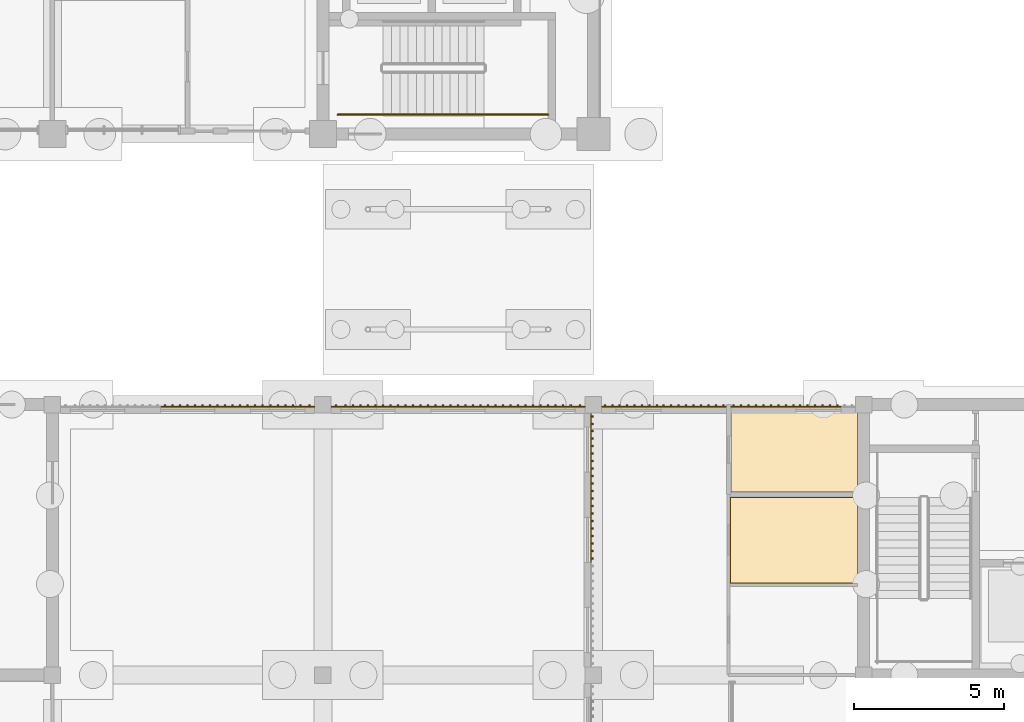
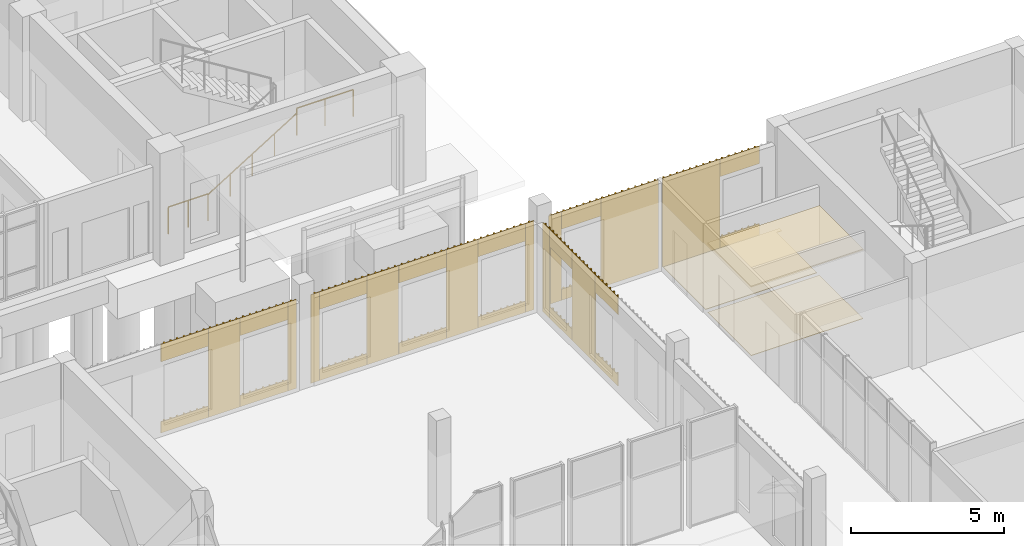
# One storey, part 101 of 106: 32 coverings, 3 railings.
"""IFC4 building model written with IfcOpenShell, lengths in metres."""

from ifc_helpers import new_model, si_unit, direction, frame, origin, origin_2d, place, context, subcontext, project, spatial, polyline, circle, outline, extrude, source, transform, mapped, material, layer, layer_set, type_object, element, save


model = new_model("IFC4")

# Units and contexts
model_context = context("Model", 3, precision=1e-05, world=origin(), true_north=direction((0.0, 1.0)))
body_context = subcontext(model_context, "Body", "Model", "MODEL_VIEW")
ifc_project = project(units=[si_unit("LENGTHUNIT", "METRE"), si_unit("AREAUNIT", "SQUARE_METRE"), si_unit("VOLUMEUNIT", "CUBIC_METRE"), si_unit("PLANEANGLEUNIT", "RADIAN"), si_unit("MASSUNIT", "GRAM", prefix="KILO")], contexts=[model_context])

# Site, building, storey
site_placement = place(None, origin())
site = spatial("IfcSite", under=ifc_project, at=site_placement, CompositionType="ELEMENT")
building_placement = place(site_placement, origin())
building = spatial("IfcBuilding", under=site, at=building_placement, Name="Merrow Basin Faculty of Sciences", CompositionType="ELEMENT")
storey_placement = place(building_placement, origin())
storey = spatial("IfcBuildingStorey", under=building, at=storey_placement, Name="L00", CompositionType="ELEMENT", Elevation=0.0)

# Coverings
ifc_material_1 = material(Name="Ceramic floor tile")
ifc_layer_1 = layer(ifc_material_1, 0.02001953125)
ifc_layer_set_1 = layer_set([ifc_layer_1], Name="Ceramic floor tile")
covering_type_1 = type_object("IfcCoveringType", Name="Ceramic floor tile", PredefinedType="FLOORING", material=ifc_layer_set_1)
covering_1_placement = place(storey_placement, origin())
element("IfcCovering", 1, at=covering_1_placement, inside=storey, type_object=covering_type_1, Name="Floor finish L00-C-030", PredefinedType="FLOORING", context=body_context, shape_type="SweptSolid", body=[
    extrude(outline(polyline([(58.56005859375, 129.9150390625), (62.7900390625, 129.9150390625), (62.7900390625, 127.06005859375), (58.56005859375, 127.06005859375), (58.56005859375, 129.9150390625)])), origin(), (0.0, 0.0, 1.0), 0.02001953125),
])
ifc_material_2 = material(Name="Sealed concrete floor", Category="concrete")
ifc_layer_2 = layer(ifc_material_2, 0.02001953125)
ifc_layer_set_2 = layer_set([ifc_layer_2], Name="Sealed concrete floor")
covering_type_2 = type_object("IfcCoveringType", Name="Sealed concrete floor", PredefinedType="FLOORING", material=ifc_layer_set_2)
covering_2_placement = place(storey_placement, origin())
element("IfcCovering", 2, at=covering_2_placement, inside=storey, type_object=covering_type_2, Name="Floor finish L00-C-031", PredefinedType="FLOORING", context=body_context, shape_type="SweptSolid", body=[
    extrude(outline(polyline([(62.989990234375, 132.889892578125), (62.989990234375, 132.735107421875), (62.7900390625, 132.735107421875), (62.7900390625, 130.0849609375), (58.5849609375, 130.0849609375), (58.5849609375, 132.889892578125), (62.989990234375, 132.889892578125)])), origin(), (0.0, 0.0, 1.0), 0.02001953125),
])

# Railings
ifc_material_3 = material(Name="Steel ASTM A36", Category="steel")
railing_type_1 = type_object("IfcRailingType", Name="Steel guard 1100", PredefinedType="GUARDRAIL", material=ifc_material_3)
railing_1_placement = place(storey_placement, frame((50.360107421875, 142.64990234375, 2.25)))
element("IfcRailing", 3, at=railing_1_placement, inside=storey, type_object=railing_type_1, Name="L00 ST-V5-N stair guard 3", PredefinedType="GUARDRAIL", context=body_context, shape_type="SweptSolid", body=[
    extrude(circle(Radius=0.02392578125, at=origin_2d()), frame((0.0, 0.0, 1.076171875), z_axis=(1.0, 0.0, 0.0), x_axis=(0.0, 1.0, 0.0)), (0.0, 0.0, 1.0), 2.139892578125),
    extrude(circle(Radius=0.02099609375, at=origin_2d()), origin(), (0.0, 0.0, 1.0), 1.052001953125),
    extrude(circle(Radius=0.02099609375, at=origin_2d()), frame((1.06982421875, 0.0, 0.0)), (0.0, 0.0, 1.0), 1.052001953125),
    extrude(circle(Radius=0.02099609375, at=origin_2d()), frame((2.139892578125, 0.0, 0.0)), (0.0, 0.0, 1.0), 1.052001953125),
])
railing_2_placement = place(storey_placement, frame((45.5, 142.64990234375, 0.0)))
element("IfcRailing", 4, at=railing_2_placement, inside=storey, type_object=railing_type_1, Name="L00 ST-V5-N stair guard 6", PredefinedType="GUARDRAIL", context=body_context, shape_type="SweptSolid", body=[
    extrude(circle(Radius=0.02392578125, at=origin_2d()), frame((0.0, 0.0, 1.076171875), z_axis=(1.0, 0.0, 0.0), x_axis=(0.0, 1.0, 0.0)), (0.0, 0.0, 1.0), 1.5),
    extrude(circle(Radius=0.02099609375, at=origin_2d()), origin(), (0.0, 0.0, 1.0), 1.052001953125),
    extrude(circle(Radius=0.02099609375, at=origin_2d()), frame((0.75, 0.0, 0.0)), (0.0, 0.0, 1.0), 1.052001953125),
    extrude(circle(Radius=0.02099609375, at=origin_2d()), frame((1.5, 0.0, 0.0)), (0.0, 0.0, 1.0), 1.052001953125),
])
ifc_material_4 = material(Name="Steel ASTM A36", Category="steel")
railing_type_2 = type_object("IfcRailingType", Name="Steel handrail 900", PredefinedType="HANDRAIL", material=ifc_material_4)
railing_3_placement = place(storey_placement, frame((47.0, 142.64990234375, 0.173095703125)))
element("IfcRailing", 5, at=railing_3_placement, inside=storey, type_object=railing_type_2, Name="L00 ST-V5-N stair handrail 1", PredefinedType="HANDRAIL", context=body_context, shape_type="SweptSolid", body=[
    extrude(circle(Radius=0.02392578125, at=origin_2d()), frame((0.0, 0.0, 0.8759765625), z_axis=(0.850623216509, 0.0, 0.525775754039), x_axis=(0.0, 1.0, 0.0)), (0.0, 0.0, 1.0), 3.9501953125),
    extrude(circle(Radius=0.02099609375, at=origin_2d()), origin(), (0.0, 0.0, 1.0), 0.851806640625),
    extrude(circle(Radius=0.02099609375, at=origin_2d()), frame((0.840087890625, 0.0, 0.519287109375)), (0.0, 0.0, 1.0), 0.851806640625),
    extrude(circle(Radius=0.02099609375, at=origin_2d()), frame((1.68017578125, 0.0, 1.03857421875)), (0.0, 0.0, 1.0), 0.851806640625),
    extrude(circle(Radius=0.02099609375, at=origin_2d()), frame((2.52001953125, 0.0, 1.5576171875)), (0.0, 0.0, 1.0), 0.851806640625),
    extrude(circle(Radius=0.02099609375, at=origin_2d()), frame((3.360107421875, 0.0, 2.076904296875)), (0.0, 0.0, 1.0), 0.851806640625),
])

# Coverings
ifc_material_5 = material(Name="Mineral fibre ceiling tile")
ifc_layer_3 = layer(ifc_material_5, 0.050048828125)
ifc_layer_set_3 = layer_set([ifc_layer_3], Name="Suspended acoustic ceiling tile")
covering_type_3 = type_object("IfcCoveringType", Name="Suspended acoustic ceiling tile", PredefinedType="CEILING", material=ifc_layer_set_3)
covering_3_placement = place(storey_placement, frame((0.0, 0.0, 2.75)))
element("IfcCovering", 6, at=covering_3_placement, inside=storey, type_object=covering_type_3, Name="Ceiling L00-C-030", PredefinedType="CEILING", context=body_context, shape_type="SweptSolid", body=[
    extrude(outline(polyline([(58.550048828125, 129.925048828125), (62.800048828125, 129.925048828125), (62.800048828125, 127.050048828125), (58.550048828125, 127.050048828125), (58.550048828125, 129.925048828125)])), origin(), (0.0, 0.0, 1.0), 0.050048828125),
])
ifc_material_6 = material(Name="Larch timber", Category="wood")
ifc_layer_4 = layer(ifc_material_6, 0.0849609375)
ifc_layer_set_4 = layer_set([ifc_layer_4], Name="Larch batten cladding 85")
covering_type_4 = type_object("IfcCoveringType", Name="Larch batten cladding 85", PredefinedType="CLADDING", material=ifc_layer_set_4)
shared_shape_1 = source(origin(), body_context, "Body", "SweptSolid", [
    extrude(outline(polyline([(0.0, 0.0), (0.47509765625, 0.0), (0.47509765625, 0.02490234375), (0.387939453125, 0.02490234375), (0.387939453125, 0.0849609375), (0.337890625, 0.0849609375), (0.337890625, 0.02490234375), (0.137939453125, 0.02490234375), (0.137939453125, 0.0849609375), (0.087890625, 0.0849609375), (0.087890625, 0.02490234375), (0.0, 0.02490234375), (0.0, 0.0)])), origin(), (0.0, 0.0, 1.0), 3.550048828125),
])
covering_4_placement = place(storey_placement, frame((54.27490234375, 132.9150390625, 0.0), z_axis=(0.0, 0.0, 1.0), x_axis=(1.0, 0.0, 0.0)))
element("IfcCovering", 7, at=covering_4_placement, inside=storey, type_object=covering_type_4, Name="Larch batten cladding", PredefinedType="CLADDING", context=body_context, shape_type="MappedRepresentation", body=[
    mapped(shared_shape_1, transform((0.0, 0.0, 0.0), scale=1.0)),
])
shared_shape_2 = source(origin(), body_context, "Body", "SweptSolid", [
    extrude(outline(polyline([(0.0, 0.0), (1.5, 0.0), (1.5, 0.02490234375), (1.39990234375, 0.02490234375), (1.39990234375, 0.0849609375), (1.35009765625, 0.0849609375), (1.35009765625, 0.02490234375), (1.14990234375, 0.02490234375), (1.14990234375, 0.0849609375), (1.10009765625, 0.0849609375), (1.10009765625, 0.02490234375), (0.89990234375, 0.02490234375), (0.89990234375, 0.0849609375), (0.85009765625, 0.0849609375), (0.85009765625, 0.02490234375), (0.64990234375, 0.02490234375), (0.64990234375, 0.0849609375), (0.60009765625, 0.0849609375), (0.60009765625, 0.02490234375), (0.39990234375, 0.02490234375), (0.39990234375, 0.0849609375), (0.35009765625, 0.0849609375), (0.35009765625, 0.02490234375), (0.14990234375, 0.02490234375), (0.14990234375, 0.0849609375), (0.10009765625, 0.0849609375), (0.10009765625, 0.02490234375), (0.0, 0.02490234375), (0.0, 0.0)])), origin(), (0.0, 0.0, 1.0), 0.449951171875),
])
for number, where, z_axis, x_axis, name in (
    (8, (54.75, 132.9150390625, 0.0), (0.0, 0.0, 1.0), (1.0, 0.0, 0.0), "Larch batten cladding"),
    (9, (60.75, 132.9150390625, 0.0), (0.0, 0.0, 1.0), (1.0, 0.0, 0.0), "Larch batten cladding"),
    (10, (53.9150390625, 132.25, 0.0), (0.0, 0.0, 1.0), (0.0, -1.0, 0.0), "Larch batten cladding"),
    (11, (53.9150390625, 129.25, 0.0), (0.0, 0.0, 1.0), (0.0, -1.0, 0.0), "Larch batten cladding"),
):
    element("IfcCovering", number, at=place(storey_placement, frame(where, z_axis=z_axis, x_axis=x_axis)), inside=storey, type_object=covering_type_4, Name=name, PredefinedType="CLADDING", context=body_context, shape_type="MappedRepresentation", body=[
        mapped(shared_shape_2, transform((0.0, 0.0, 0.0), scale=1.0)),
    ])
shared_shape_3 = source(origin(), body_context, "Body", "SweptSolid", [
    extrude(outline(polyline([(0.0, 0.0), (1.5, 0.0), (1.5, 0.02490234375), (1.39990234375, 0.02490234375), (1.39990234375, 0.0849609375), (1.35009765625, 0.0849609375), (1.35009765625, 0.02490234375), (1.14990234375, 0.02490234375), (1.14990234375, 0.0849609375), (1.10009765625, 0.0849609375), (1.10009765625, 0.02490234375), (0.89990234375, 0.02490234375), (0.89990234375, 0.0849609375), (0.85009765625, 0.0849609375), (0.85009765625, 0.02490234375), (0.64990234375, 0.02490234375), (0.64990234375, 0.0849609375), (0.60009765625, 0.0849609375), (0.60009765625, 0.02490234375), (0.39990234375, 0.02490234375), (0.39990234375, 0.0849609375), (0.35009765625, 0.0849609375), (0.35009765625, 0.02490234375), (0.14990234375, 0.02490234375), (0.14990234375, 0.0849609375), (0.10009765625, 0.0849609375), (0.10009765625, 0.02490234375), (0.0, 0.02490234375), (0.0, 0.0)])), origin(), (0.0, 0.0, 1.0), 0.699951171875),
])
for number, where, z_axis, x_axis, name in (
    (12, (54.75, 132.9150390625, 2.85009765625), (0.0, 0.0, 1.0), (1.0, 0.0, 0.0), "Larch batten cladding"),
    (13, (60.75, 132.9150390625, 2.85009765625), (0.0, 0.0, 1.0), (1.0, 0.0, 0.0), "Larch batten cladding"),
    (14, (53.9150390625, 132.25, 2.85009765625), (0.0, 0.0, 1.0), (0.0, -1.0, 0.0), "Larch batten cladding"),
    (15, (53.9150390625, 129.25, 2.85009765625), (0.0, 0.0, 1.0), (0.0, -1.0, 0.0), "Larch batten cladding"),
):
    element("IfcCovering", number, at=place(storey_placement, frame(where, z_axis=z_axis, x_axis=x_axis)), inside=storey, type_object=covering_type_4, Name=name, PredefinedType="CLADDING", context=body_context, shape_type="MappedRepresentation", body=[
        mapped(shared_shape_3, transform((0.0, 0.0, 0.0), scale=1.0)),
    ])
shared_shape_4 = source(origin(), body_context, "Body", "SweptSolid", [
    extrude(outline(polyline([(0.0, 0.0), (2.175048828125, 0.0), (2.175048828125, 0.02490234375), (2.112060546875, 0.02490234375), (2.112060546875, 0.0849609375), (2.06201171875, 0.0849609375), (2.06201171875, 0.02490234375), (1.862060546875, 0.02490234375), (1.862060546875, 0.0849609375), (1.81201171875, 0.0849609375), (1.81201171875, 0.02490234375), (1.612060546875, 0.02490234375), (1.612060546875, 0.0849609375), (1.56201171875, 0.0849609375), (1.56201171875, 0.02490234375), (1.362060546875, 0.02490234375), (1.362060546875, 0.0849609375), (1.31201171875, 0.0849609375), (1.31201171875, 0.02490234375), (1.112060546875, 0.02490234375), (1.112060546875, 0.0849609375), (1.06201171875, 0.0849609375), (1.06201171875, 0.02490234375), (0.862060546875, 0.02490234375), (0.862060546875, 0.0849609375), (0.81201171875, 0.0849609375), (0.81201171875, 0.02490234375), (0.612060546875, 0.02490234375), (0.612060546875, 0.0849609375), (0.56201171875, 0.0849609375), (0.56201171875, 0.02490234375), (0.362060546875, 0.02490234375), (0.362060546875, 0.0849609375), (0.31201171875, 0.0849609375), (0.31201171875, 0.02490234375), (0.112060546875, 0.02490234375), (0.112060546875, 0.0849609375), (0.06201171875, 0.0849609375), (0.06201171875, 0.02490234375), (0.0, 0.02490234375), (0.0, 0.0)])), origin(), (0.0, 0.0, 1.0), 3.550048828125),
])
for number, where, z_axis, x_axis, name in (
    (16, (56.25, 132.9150390625, 0.0), (0.0, 0.0, 1.0), (1.0, 0.0, 0.0), "Larch batten cladding"),
    (17, (58.574951171875, 132.9150390625, 0.0), (0.0, 0.0, 1.0), (1.0, 0.0, 0.0), "Larch batten cladding"),
):
    element("IfcCovering", number, at=place(storey_placement, frame(where, z_axis=z_axis, x_axis=x_axis)), inside=storey, type_object=covering_type_4, Name=name, PredefinedType="CLADDING", context=body_context, shape_type="MappedRepresentation", body=[
        mapped(shared_shape_4, transform((0.0, 0.0, 0.0), scale=1.0)),
    ])
shared_shape_5 = source(origin(), body_context, "Body", "SweptSolid", [
    extrude(outline(polyline([(0.0, 0.0), (0.324951171875, 0.0), (0.324951171875, 0.02490234375), (0.18701171875, 0.02490234375), (0.18701171875, 0.0849609375), (0.136962890625, 0.0849609375), (0.136962890625, 0.02490234375), (0.0, 0.02490234375), (0.0, 0.0)])), origin(), (0.0, 0.0, 1.0), 3.550048828125),
])
for number, where, z_axis, x_axis, name in (
    (18, (44.39990234375, 132.9150390625, 0.0), (0.0, 0.0, 1.0), (1.0, 0.0, 0.0), "Larch batten cladding"),
    (19, (45.27490234375, 132.9150390625, 0.0), (0.0, 0.0, 1.0), (1.0, 0.0, 0.0), "Larch batten cladding"),
    (20, (53.39990234375, 132.9150390625, 0.0), (0.0, 0.0, 1.0), (1.0, 0.0, 0.0), "Larch batten cladding"),
):
    element("IfcCovering", number, at=place(storey_placement, frame(where, z_axis=z_axis, x_axis=x_axis)), inside=storey, type_object=covering_type_4, Name=name, PredefinedType="CLADDING", context=body_context, shape_type="MappedRepresentation", body=[
        mapped(shared_shape_5, transform((0.0, 0.0, 0.0), scale=1.0)),
    ])
shared_shape_6 = source(origin(), body_context, "Body", "SweptSolid", [
    extrude(outline(polyline([(0.0, 0.0), (1.800048828125, 0.0), (1.800048828125, 0.02490234375), (1.675048828125, 0.02490234375), (1.675048828125, 0.0849609375), (1.625, 0.0849609375), (1.625, 0.02490234375), (1.425048828125, 0.02490234375), (1.425048828125, 0.0849609375), (1.375, 0.0849609375), (1.375, 0.02490234375), (1.175048828125, 0.02490234375), (1.175048828125, 0.0849609375), (1.125, 0.0849609375), (1.125, 0.02490234375), (0.925048828125, 0.02490234375), (0.925048828125, 0.0849609375), (0.875, 0.0849609375), (0.875, 0.02490234375), (0.675048828125, 0.02490234375), (0.675048828125, 0.0849609375), (0.625, 0.0849609375), (0.625, 0.02490234375), (0.425048828125, 0.02490234375), (0.425048828125, 0.0849609375), (0.375, 0.0849609375), (0.375, 0.02490234375), (0.175048828125, 0.02490234375), (0.175048828125, 0.0849609375), (0.125, 0.0849609375), (0.125, 0.02490234375), (0.0, 0.02490234375), (0.0, 0.0)])), origin(), (0.0, 0.0, 1.0), 0.449951171875),
])
for number, where, z_axis, x_axis, name in (
    (21, (39.60009765625, 132.9150390625, 0.0), (0.0, 0.0, 1.0), (1.0, 0.0, 0.0), "Larch batten cladding"),
    (22, (42.60009765625, 132.9150390625, 0.0), (0.0, 0.0, 1.0), (1.0, 0.0, 0.0), "Larch batten cladding"),
    (23, (45.60009765625, 132.9150390625, 0.0), (0.0, 0.0, 1.0), (1.0, 0.0, 0.0), "Larch batten cladding"),
    (24, (48.60009765625, 132.9150390625, 0.0), (0.0, 0.0, 1.0), (1.0, 0.0, 0.0), "Larch batten cladding"),
    (25, (51.60009765625, 132.9150390625, 0.0), (0.0, 0.0, 1.0), (1.0, 0.0, 0.0), "Larch batten cladding"),
):
    element("IfcCovering", number, at=place(storey_placement, frame(where, z_axis=z_axis, x_axis=x_axis)), inside=storey, type_object=covering_type_4, Name=name, PredefinedType="CLADDING", context=body_context, shape_type="MappedRepresentation", body=[
        mapped(shared_shape_6, transform((0.0, 0.0, 0.0), scale=1.0)),
    ])
shared_shape_7 = source(origin(), body_context, "Body", "SweptSolid", [
    extrude(outline(polyline([(0.0, 0.0), (1.800048828125, 0.0), (1.800048828125, 0.02490234375), (1.675048828125, 0.02490234375), (1.675048828125, 0.0849609375), (1.625, 0.0849609375), (1.625, 0.02490234375), (1.425048828125, 0.02490234375), (1.425048828125, 0.0849609375), (1.375, 0.0849609375), (1.375, 0.02490234375), (1.175048828125, 0.02490234375), (1.175048828125, 0.0849609375), (1.125, 0.0849609375), (1.125, 0.02490234375), (0.925048828125, 0.02490234375), (0.925048828125, 0.0849609375), (0.875, 0.0849609375), (0.875, 0.02490234375), (0.675048828125, 0.02490234375), (0.675048828125, 0.0849609375), (0.625, 0.0849609375), (0.625, 0.02490234375), (0.425048828125, 0.02490234375), (0.425048828125, 0.0849609375), (0.375, 0.0849609375), (0.375, 0.02490234375), (0.175048828125, 0.02490234375), (0.175048828125, 0.0849609375), (0.125, 0.0849609375), (0.125, 0.02490234375), (0.0, 0.02490234375), (0.0, 0.0)])), origin(), (0.0, 0.0, 1.0), 0.699951171875),
])
for number, where, z_axis, x_axis, name in (
    (26, (39.60009765625, 132.9150390625, 2.85009765625), (0.0, 0.0, 1.0), (1.0, 0.0, 0.0), "Larch batten cladding"),
    (27, (42.60009765625, 132.9150390625, 2.85009765625), (0.0, 0.0, 1.0), (1.0, 0.0, 0.0), "Larch batten cladding"),
    (28, (45.60009765625, 132.9150390625, 2.85009765625), (0.0, 0.0, 1.0), (1.0, 0.0, 0.0), "Larch batten cladding"),
    (29, (48.60009765625, 132.9150390625, 2.85009765625), (0.0, 0.0, 1.0), (1.0, 0.0, 0.0), "Larch batten cladding"),
    (30, (51.60009765625, 132.9150390625, 2.85009765625), (0.0, 0.0, 1.0), (1.0, 0.0, 0.0), "Larch batten cladding"),
):
    element("IfcCovering", number, at=place(storey_placement, frame(where, z_axis=z_axis, x_axis=x_axis)), inside=storey, type_object=covering_type_4, Name=name, PredefinedType="CLADDING", context=body_context, shape_type="MappedRepresentation", body=[
        mapped(shared_shape_7, transform((0.0, 0.0, 0.0), scale=1.0)),
    ])
shared_shape_8 = source(origin(), body_context, "Body", "SweptSolid", [
    extrude(outline(polyline([(0.0, 0.0), (1.199951171875, 0.0), (1.199951171875, 0.02490234375), (1.125, 0.02490234375), (1.125, 0.0849609375), (1.074951171875, 0.0849609375), (1.074951171875, 0.02490234375), (0.875, 0.02490234375), (0.875, 0.0849609375), (0.824951171875, 0.0849609375), (0.824951171875, 0.02490234375), (0.625, 0.02490234375), (0.625, 0.0849609375), (0.574951171875, 0.0849609375), (0.574951171875, 0.02490234375), (0.375, 0.02490234375), (0.375, 0.0849609375), (0.324951171875, 0.0849609375), (0.324951171875, 0.02490234375), (0.125, 0.02490234375), (0.125, 0.0849609375), (0.074951171875, 0.0849609375), (0.074951171875, 0.02490234375), (0.0, 0.02490234375), (0.0, 0.0)])), origin(), (0.0, 0.0, 1.0), 3.550048828125),
])
for number, where, z_axis, x_axis, name in (
    (31, (41.39990234375, 132.9150390625, 0.0), (0.0, 0.0, 1.0), (1.0, 0.0, 0.0), "Larch batten cladding"),
    (32, (47.39990234375, 132.9150390625, 0.0), (0.0, 0.0, 1.0), (1.0, 0.0, 0.0), "Larch batten cladding"),
    (33, (50.39990234375, 132.9150390625, 0.0), (0.0, 0.0, 1.0), (1.0, 0.0, 0.0), "Larch batten cladding"),
):
    element("IfcCovering", number, at=place(storey_placement, frame(where, z_axis=z_axis, x_axis=x_axis)), inside=storey, type_object=covering_type_4, Name=name, PredefinedType="CLADDING", context=body_context, shape_type="MappedRepresentation", body=[
        mapped(shared_shape_8, transform((0.0, 0.0, 0.0), scale=1.0)),
    ])
shared_shape_9 = source(origin(), body_context, "Body", "SweptSolid", [
    extrude(outline(polyline([(0.0, 0.0), (1.5, 0.0), (1.5, 0.02490234375), (1.39990234375, 0.02490234375), (1.39990234375, 0.0849609375), (1.35009765625, 0.0849609375), (1.35009765625, 0.02490234375), (1.14990234375, 0.02490234375), (1.14990234375, 0.0849609375), (1.10009765625, 0.0849609375), (1.10009765625, 0.02490234375), (0.89990234375, 0.02490234375), (0.89990234375, 0.0849609375), (0.85009765625, 0.0849609375), (0.85009765625, 0.02490234375), (0.64990234375, 0.02490234375), (0.64990234375, 0.0849609375), (0.60009765625, 0.0849609375), (0.60009765625, 0.02490234375), (0.39990234375, 0.02490234375), (0.39990234375, 0.0849609375), (0.35009765625, 0.0849609375), (0.35009765625, 0.02490234375), (0.14990234375, 0.02490234375), (0.14990234375, 0.0849609375), (0.10009765625, 0.0849609375), (0.10009765625, 0.02490234375), (0.0, 0.02490234375), (0.0, 0.0)])), origin(), (0.0, 0.0, 1.0), 3.550048828125),
])
covering_5_placement = place(storey_placement, frame((53.9150390625, 130.75, 0.0), z_axis=(0.0, 0.0, 1.0), x_axis=(0.0, -1.0, 0.0)))
element("IfcCovering", 34, at=covering_5_placement, inside=storey, type_object=covering_type_4, Name="Larch batten cladding", PredefinedType="CLADDING", context=body_context, shape_type="MappedRepresentation", body=[
    mapped(shared_shape_9, transform((0.0, 0.0, 0.0), scale=1.0)),
])
shared_shape_10 = source(origin(), body_context, "Body", "SweptSolid", [
    extrude(outline(polyline([(0.0, 0.0), (0.450927734375, 0.0), (0.450927734375, 0.02490234375), (0.375, 0.02490234375), (0.375, 0.0849609375), (0.324951171875, 0.0849609375), (0.324951171875, 0.02490234375), (0.125, 0.02490234375), (0.125, 0.0849609375), (0.074951171875, 0.0849609375), (0.074951171875, 0.02490234375), (0.0, 0.02490234375), (0.0, 0.0)])), origin(), (0.0, 0.0, 1.0), 3.550048828125),
])
covering_6_placement = place(storey_placement, frame((53.9150390625, 132.700927734375, 0.0), z_axis=(0.0, 0.0, 1.0), x_axis=(0.0, -1.0, 0.0)))
element("IfcCovering", 35, at=covering_6_placement, inside=storey, type_object=covering_type_4, Name="Larch batten cladding", PredefinedType="CLADDING", context=body_context, shape_type="MappedRepresentation", body=[
    mapped(shared_shape_10, transform((0.0, 0.0, 0.0), scale=1.0)),
])

save(model, "model.ifc")
